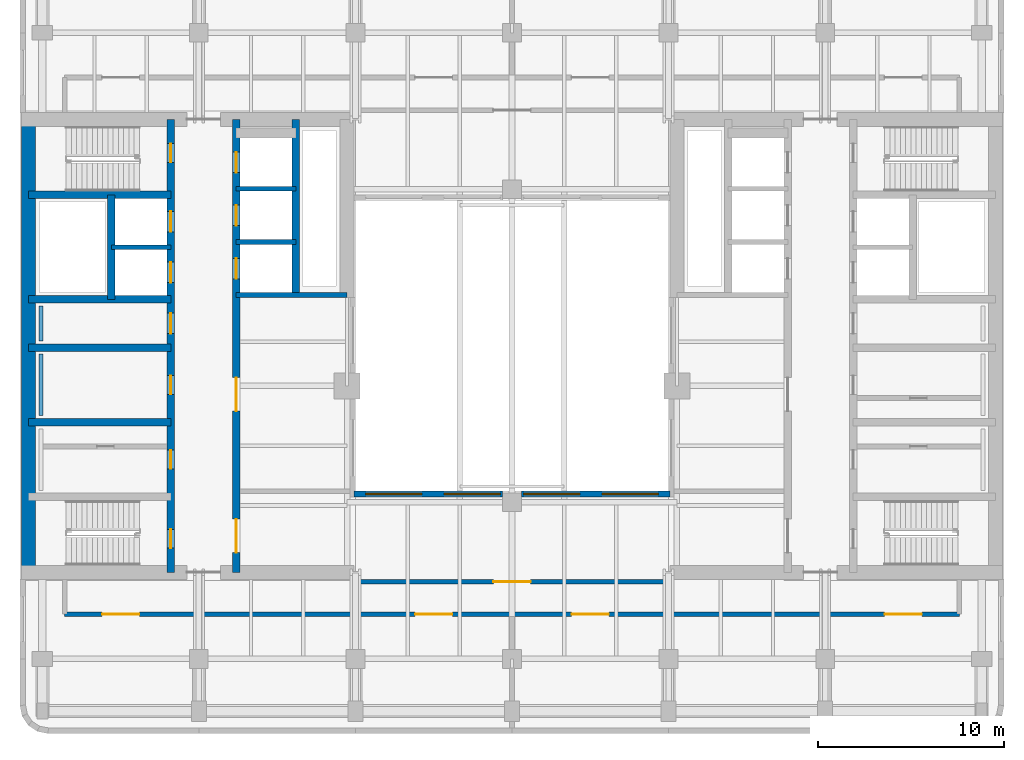
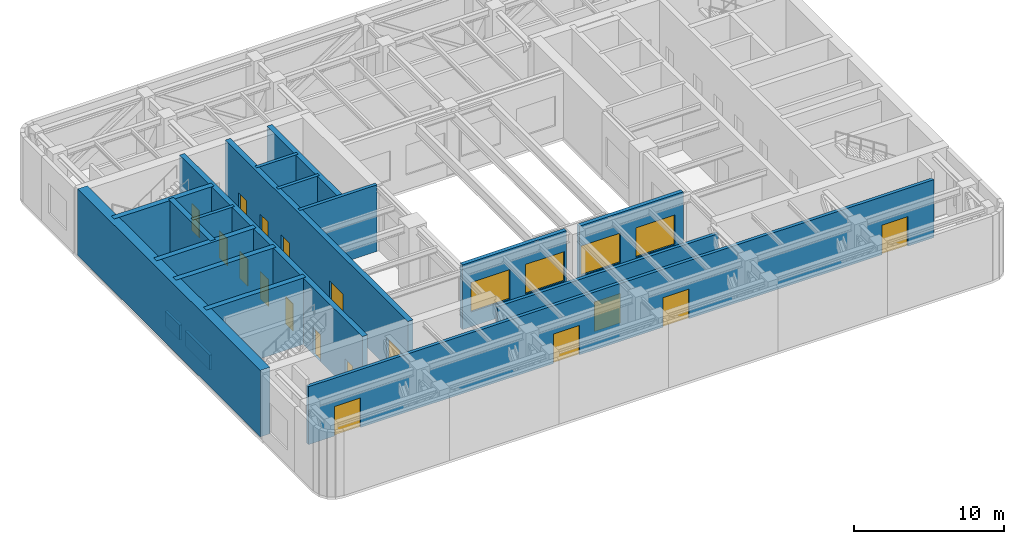
# One storey, part 4 of 10: 19 walls, 17 doors, 4 windows, 21 openings.
"""IFC4 building model written with IfcOpenShell, lengths in metres."""

from ifc_helpers import new_model, si_unit, direction, frame, frame_2d, origin, place, context, subcontext, project, spatial, rectangle, extrude, material, layer, layer_set, type_object, element, fill, save


model = new_model("IFC4")

# Units and contexts
model_context = context("Model", 3, precision=1e-05, world=origin(), true_north=direction((0.0, 1.0)))
body_context = subcontext(model_context, "Body", "Model", "MODEL_VIEW")
ifc_project = project(units=[si_unit("LENGTHUNIT", "METRE"), si_unit("AREAUNIT", "SQUARE_METRE"), si_unit("VOLUMEUNIT", "CUBIC_METRE"), si_unit("PLANEANGLEUNIT", "RADIAN"), si_unit("MASSUNIT", "GRAM", prefix="KILO")], contexts=[model_context])

# Site, building, storey
site_placement = place(None, origin())
site = spatial("IfcSite", under=ifc_project, at=site_placement, CompositionType="ELEMENT")
building_placement = place(site_placement, origin())
building = spatial("IfcBuilding", under=site, at=building_placement, Name="Claustro Exchange Tower", CompositionType="ELEMENT")
storey_placement = place(building_placement, frame((0.0, 0.0, 244.800048828125)))
storey = spatial("IfcBuildingStorey", under=building, at=storey_placement, Name="L56", CompositionType="ELEMENT", Elevation=244.800048828125)

# Wall, openings, doors
ifc_material_1 = material(Name="Concrete blockwork, rendered", Category="masonry")
ifc_layer_1 = layer(ifc_material_1, 0.25)
ifc_layer_set_1 = layer_set([ifc_layer_1], Name="Concrete blockwork, rendered")
wall_type_1 = type_object("IfcWallType", Name="P4 250 blockwork wall", PredefinedType="PARTITIONING", material=ifc_layer_set_1)
wall_1_placement = place(storey_placement, frame((1.199951171875, 10.800048828125, 0.0), z_axis=(0.0, 0.0, 1.0), x_axis=(1.0, 0.0, 0.0)))
wall_1 = element("IfcWall", 1, at=wall_1_placement, inside=storey, type_object=wall_type_1, Name="Partition P4 L56", PredefinedType="PARTITIONING", context=body_context, shape_type="SweptSolid", body=[
    extrude(rectangle(XDim=48.0, YDim=0.25, at=frame_2d((24.0, 0.0))), origin(), (0.0, 0.0, 1.0), 4.699951171875),
])
opening_1_placement = place(wall_1_placement, frame((2.0, 0.0, 0.0)))
opening_1 = element("IfcOpeningElement", 2, at=opening_1_placement, cuts=wall_1, Name="Opening D9", PredefinedType="OPENING", context=body_context, shape_type="SweptSolid", body=[
    extrude(rectangle(XDim=2.0, YDim=2.39990234375, at=frame_2d((1.0, 1.199951171875))), frame((0.0, 0.135009765625, 0.0), z_axis=(0.0, -1.0, 0.0), x_axis=(1.0, 0.0, 0.0)), (0.0, 0.0, 1.0), 0.27001953125),
])
opening_2_placement = place(wall_1_placement, frame((18.800048828125, 0.0, 0.0)))
opening_2 = element("IfcOpeningElement", 3, at=opening_2_placement, cuts=wall_1, Name="Opening D9", PredefinedType="OPENING", context=body_context, shape_type="SweptSolid", body=[
    extrude(rectangle(XDim=2.0, YDim=2.39990234375, at=frame_2d((1.0, 1.199951171875))), frame((0.0, 0.135009765625, 0.0), z_axis=(0.0, -1.0, 0.0), x_axis=(1.0, 0.0, 0.0)), (0.0, 0.0, 1.0), 0.27001953125),
])
opening_3_placement = place(wall_1_placement, frame((27.199951171875, 0.0, 0.0)))
opening_3 = element("IfcOpeningElement", 4, at=opening_3_placement, cuts=wall_1, Name="Opening D9", PredefinedType="OPENING", context=body_context, shape_type="SweptSolid", body=[
    extrude(rectangle(XDim=2.0, YDim=2.39990234375, at=frame_2d((1.0, 1.199951171875))), frame((0.0, 0.135009765625, 0.0), z_axis=(0.0, -1.0, 0.0), x_axis=(1.0, 0.0, 0.0)), (0.0, 0.0, 1.0), 0.27001953125),
])
opening_4_placement = place(wall_1_placement, frame((44.0, 0.0, 0.0)))
opening_4 = element("IfcOpeningElement", 5, at=opening_4_placement, cuts=wall_1, Name="Opening D9", PredefinedType="OPENING", context=body_context, shape_type="SweptSolid", body=[
    extrude(rectangle(XDim=2.0, YDim=2.39990234375, at=frame_2d((1.0, 1.199951171875))), frame((0.0, 0.135009765625, 0.0), z_axis=(0.0, -1.0, 0.0), x_axis=(1.0, 0.0, 0.0)), (0.0, 0.0, 1.0), 0.27001953125),
])
ifc_material_2 = material(Name="Steel fire door, painted", Category="steel")
door_type_1 = type_object("IfcDoorType", Name="D9 2000 x 2400 plant room double door", OperationType="DOUBLE_DOOR_SINGLE_SWING", PredefinedType="DOOR", material=ifc_material_2)
door_1_placement = place(opening_1_placement, frame((2.0, 0.0, 0.0), z_axis=(0.0, 0.0, 1.0), x_axis=(-1.0, 0.0, 0.0)))
door_1 = element("IfcDoor", 6, at=door_1_placement, inside=storey, type_object=door_type_1, Name="Double door D9 L56", OperationType="DOUBLE_DOOR_SINGLE_SWING", OverallHeight=2.39990234375, OverallWidth=2.0, PredefinedType="DOOR", context=body_context, shape_type="SweptSolid", body=[
    extrude(rectangle(XDim=2.0, YDim=2.39990234375, at=frame_2d((1.0, 1.199951171875))), frame((0.0, 0.02490234375, 0.0), z_axis=(0.0, -1.0, 0.0), x_axis=(1.0, 0.0, 0.0)), (0.0, 0.0, 1.0), 0.050048828125),
])
fill(opening_1, door_1)
door_2_placement = place(opening_2_placement, frame((2.0, 0.0, 0.0), z_axis=(0.0, 0.0, 1.0), x_axis=(-1.0, 0.0, 0.0)))
door_2 = element("IfcDoor", 7, at=door_2_placement, inside=storey, type_object=door_type_1, Name="Double door D9 L56", OperationType="DOUBLE_DOOR_SINGLE_SWING", OverallHeight=2.39990234375, OverallWidth=2.0, PredefinedType="DOOR", context=body_context, shape_type="SweptSolid", body=[
    extrude(rectangle(XDim=2.0, YDim=2.39990234375, at=frame_2d((1.0, 1.199951171875))), frame((0.0, 0.02490234375, 0.0), z_axis=(0.0, -1.0, 0.0), x_axis=(1.0, 0.0, 0.0)), (0.0, 0.0, 1.0), 0.050048828125),
])
fill(opening_2, door_2)
door_3_placement = place(opening_3_placement, frame((2.0, 0.0, 0.0), z_axis=(0.0, 0.0, 1.0), x_axis=(-1.0, 0.0, 0.0)))
door_3 = element("IfcDoor", 8, at=door_3_placement, inside=storey, type_object=door_type_1, Name="Double door D9 L56", OperationType="DOUBLE_DOOR_SINGLE_SWING", OverallHeight=2.39990234375, OverallWidth=2.0, PredefinedType="DOOR", context=body_context, shape_type="SweptSolid", body=[
    extrude(rectangle(XDim=2.0, YDim=2.39990234375, at=frame_2d((1.0, 1.199951171875))), frame((0.0, 0.02490234375, 0.0), z_axis=(0.0, -1.0, 0.0), x_axis=(1.0, 0.0, 0.0)), (0.0, 0.0, 1.0), 0.050048828125),
])
fill(opening_3, door_3)
door_4_placement = place(opening_4_placement, frame((2.0, 0.0, 0.0), z_axis=(0.0, 0.0, 1.0), x_axis=(-1.0, 0.0, 0.0)))
door_4 = element("IfcDoor", 9, at=door_4_placement, inside=storey, type_object=door_type_1, Name="Double door D9 L56", OperationType="DOUBLE_DOOR_SINGLE_SWING", OverallHeight=2.39990234375, OverallWidth=2.0, PredefinedType="DOOR", context=body_context, shape_type="SweptSolid", body=[
    extrude(rectangle(XDim=2.0, YDim=2.39990234375, at=frame_2d((1.0, 1.199951171875))), frame((0.0, 0.02490234375, 0.0), z_axis=(0.0, -1.0, 0.0), x_axis=(1.0, 0.0, 0.0)), (0.0, 0.0, 1.0), 0.050048828125),
])
fill(opening_4, door_4)

# Wall, opening, door
wall_2_placement = place(storey_placement, frame((16.72509765625, 12.550048828125, 0.0), z_axis=(0.0, 0.0, 1.0), x_axis=(1.0, 0.0, 0.0)))
wall_2 = element("IfcWall", 10, at=wall_2_placement, inside=storey, type_object=wall_type_1, Name="Partition P4 L56", PredefinedType="PARTITIONING", context=body_context, shape_type="SweptSolid", body=[
    extrude(rectangle(XDim=16.949951171875, YDim=0.25, at=frame_2d((8.47509765625, 0.0))), origin(), (0.0, 0.0, 1.0), 4.699951171875),
])
opening_5_placement = place(wall_2_placement, frame((7.47509765625, 0.0, 0.0)))
opening_5 = element("IfcOpeningElement", 11, at=opening_5_placement, cuts=wall_2, Name="Opening D9", PredefinedType="OPENING", context=body_context, shape_type="SweptSolid", body=[
    extrude(rectangle(XDim=2.0, YDim=2.39990234375, at=frame_2d((1.0, 1.199951171875))), frame((0.0, 0.135009765625, 0.0), z_axis=(0.0, -1.0, 0.0), x_axis=(1.0, 0.0, 0.0)), (0.0, 0.0, 1.0), 0.27001953125),
])
door_5_placement = place(opening_5_placement, origin())
door_5 = element("IfcDoor", 12, at=door_5_placement, inside=storey, type_object=door_type_1, Name="Double door D9 L56", OperationType="DOUBLE_DOOR_SINGLE_SWING", OverallHeight=2.39990234375, OverallWidth=2.0, PredefinedType="DOOR", context=body_context, shape_type="SweptSolid", body=[
    extrude(rectangle(XDim=2.0, YDim=2.39990234375, at=frame_2d((1.0, 1.199951171875))), frame((0.0, 0.02490234375, 0.0), z_axis=(0.0, -1.0, 0.0), x_axis=(1.0, 0.0, 0.0)), (0.0, 0.0, 1.0), 0.050048828125),
])
fill(opening_5, door_5)

# Wall, openings, windows
ifc_material_3 = material(Name="Concrete HA-40 (C40/50), precast, white cement, acid-etched", Category="concrete")
ifc_layer_2 = layer(ifc_material_3, 0.300048828125)
ifc_layer_set_2 = layer_set([ifc_layer_2], Name="Concrete HA-40 (C40/50), precast, white cement, acid-etched")
wall_type_2 = type_object("IfcWallType", Name="PC1 300 precast concrete pier panel", PredefinedType="SOLIDWALL", material=ifc_layer_set_2)
wall_3_placement = place(storey_placement, frame((16.72509765625, 17.25, 0.0), z_axis=(0.0, 0.0, 1.0), x_axis=(1.0, 0.0, 0.0)))
wall_3 = element("IfcWall", 13, at=wall_3_placement, inside=storey, type_object=wall_type_2, Name="Precast pier panel PC1 L56", PredefinedType="SOLIDWALL", context=body_context, shape_type="SweptSolid", body=[
    extrude(rectangle(XDim=7.974853515625, YDim=0.300048828125, at=frame_2d((3.9873046875, 0.0))), origin(), (0.0, 0.0, 1.0), 5.25),
])
opening_6_placement = place(wall_3_placement, frame((0.637451171875, 0.0, 1.199951171875)))
opening_6 = element("IfcOpeningElement", 14, at=opening_6_placement, cuts=wall_3, Name="Opening L1", PredefinedType="OPENING", context=body_context, shape_type="SweptSolid", body=[
    extrude(rectangle(XDim=3.0, YDim=2.39990234375, at=frame_2d((1.5, 1.199951171875))), frame((0.0, 0.159912109375, 0.0), z_axis=(0.0, -1.0, 0.0), x_axis=(1.0, 0.0, 0.0)), (0.0, 0.0, 1.0), 0.320068359375),
])
opening_7_placement = place(wall_3_placement, frame((4.83740234375, 0.0, 1.199951171875)))
opening_7 = element("IfcOpeningElement", 15, at=opening_7_placement, cuts=wall_3, Name="Opening L1", PredefinedType="OPENING", context=body_context, shape_type="SweptSolid", body=[
    extrude(rectangle(XDim=3.0, YDim=2.39990234375, at=frame_2d((1.5, 1.199951171875))), frame((0.0, 0.159912109375, 0.0), z_axis=(0.0, -1.0, 0.0), x_axis=(1.0, 0.0, 0.0)), (0.0, 0.0, 1.0), 0.320068359375),
])
ifc_material_4 = material(Name="Aluminium louvre blades", Category="aluminium")
window_type = type_object("IfcWindowType", Name="L1 3000 x 2400 plant louvre", PartitioningType="SINGLE_PANEL", PredefinedType="USERDEFINED", material=ifc_material_4)
window_1_placement = place(opening_6_placement, origin())
window_1 = element("IfcWindow", 16, at=window_1_placement, inside=storey, type_object=window_type, Name="Plant louvre L1 L56", ObjectType="LOUVRE", OverallHeight=2.39990234375, OverallWidth=3.0, PartitioningType="SINGLE_PANEL", PredefinedType="USERDEFINED", context=body_context, shape_type="SweptSolid", body=[
    extrude(rectangle(XDim=3.0, YDim=2.39990234375, at=frame_2d((1.5, 1.199951171875))), frame((0.0, 0.030029296875, 0.0), z_axis=(0.0, -1.0, 0.0), x_axis=(1.0, 0.0, 0.0)), (0.0, 0.0, 1.0), 0.06005859375),
])
fill(opening_6, window_1)
window_2_placement = place(opening_7_placement, origin())
window_2 = element("IfcWindow", 17, at=window_2_placement, inside=storey, type_object=window_type, Name="Plant louvre L1 L56", ObjectType="LOUVRE", OverallHeight=2.39990234375, OverallWidth=3.0, PartitioningType="SINGLE_PANEL", PredefinedType="USERDEFINED", context=body_context, shape_type="SweptSolid", body=[
    extrude(rectangle(XDim=3.0, YDim=2.39990234375, at=frame_2d((1.5, 1.199951171875))), frame((0.0, 0.030029296875, 0.0), z_axis=(0.0, -1.0, 0.0), x_axis=(1.0, 0.0, 0.0)), (0.0, 0.0, 1.0), 0.06005859375),
])
fill(opening_7, window_2)

wall_4_placement = place(storey_placement, frame((25.699951171875, 17.25, 0.0), z_axis=(0.0, 0.0, 1.0), x_axis=(1.0, 0.0, 0.0)))
wall_4 = element("IfcWall", 18, at=wall_4_placement, inside=storey, type_object=wall_type_2, Name="Precast pier panel PC1 L56", PredefinedType="SOLIDWALL", context=body_context, shape_type="SweptSolid", body=[
    extrude(rectangle(XDim=7.97509765625, YDim=0.300048828125, at=frame_2d((3.987548828125, 0.0))), origin(), (0.0, 0.0, 1.0), 5.25),
])
opening_8_placement = place(wall_4_placement, frame((0.137451171875, 0.0, 1.199951171875)))
opening_8 = element("IfcOpeningElement", 19, at=opening_8_placement, cuts=wall_4, Name="Opening L1", PredefinedType="OPENING", context=body_context, shape_type="SweptSolid", body=[
    extrude(rectangle(XDim=3.0, YDim=2.39990234375, at=frame_2d((1.5, 1.199951171875))), frame((0.0, 0.159912109375, 0.0), z_axis=(0.0, -1.0, 0.0), x_axis=(1.0, 0.0, 0.0)), (0.0, 0.0, 1.0), 0.320068359375),
])
opening_9_placement = place(wall_4_placement, frame((4.33740234375, 0.0, 1.199951171875)))
opening_9 = element("IfcOpeningElement", 20, at=opening_9_placement, cuts=wall_4, Name="Opening L1", PredefinedType="OPENING", context=body_context, shape_type="SweptSolid", body=[
    extrude(rectangle(XDim=3.0, YDim=2.39990234375, at=frame_2d((1.5, 1.199951171875))), frame((0.0, 0.159912109375, 0.0), z_axis=(0.0, -1.0, 0.0), x_axis=(1.0, 0.0, 0.0)), (0.0, 0.0, 1.0), 0.320068359375),
])
window_3_placement = place(opening_8_placement, origin())
window_3 = element("IfcWindow", 21, at=window_3_placement, inside=storey, type_object=window_type, Name="Plant louvre L1 L56", ObjectType="LOUVRE", OverallHeight=2.39990234375, OverallWidth=3.0, PartitioningType="SINGLE_PANEL", PredefinedType="USERDEFINED", context=body_context, shape_type="SweptSolid", body=[
    extrude(rectangle(XDim=3.0, YDim=2.39990234375, at=frame_2d((1.5, 1.199951171875))), frame((0.0, 0.030029296875, 0.0), z_axis=(0.0, -1.0, 0.0), x_axis=(1.0, 0.0, 0.0)), (0.0, 0.0, 1.0), 0.06005859375),
])
fill(opening_8, window_3)
window_4_placement = place(opening_9_placement, origin())
window_4 = element("IfcWindow", 22, at=window_4_placement, inside=storey, type_object=window_type, Name="Plant louvre L1 L56", ObjectType="LOUVRE", OverallHeight=2.39990234375, OverallWidth=3.0, PartitioningType="SINGLE_PANEL", PredefinedType="USERDEFINED", context=body_context, shape_type="SweptSolid", body=[
    extrude(rectangle(XDim=3.0, YDim=2.39990234375, at=frame_2d((1.5, 1.199951171875))), frame((0.0, 0.030029296875, 0.0), z_axis=(0.0, -1.0, 0.0), x_axis=(1.0, 0.0, 0.0)), (0.0, 0.0, 1.0), 0.06005859375),
])
fill(opening_9, window_4)

# Walls
ifc_material_5 = material(Name="Gypsum board on steel studs, tiled", Category="steel")
ifc_layer_3 = layer(ifc_material_5, 0.199951171875)
ifc_layer_set_3 = layer_set([ifc_layer_3], Name="Gypsum board on steel studs, tiled")
wall_type_3 = type_object("IfcWallType", Name="PW1 200 WC duct wall", PredefinedType="PLUMBINGWALL", material=ifc_layer_set_3)
wall_5_placement = place(storey_placement, frame((-0.074951171875, 21.449951171875, 0.0), z_axis=(0.0, 0.0, 1.0), x_axis=(0.0, 1.0, 0.0)))
element("IfcWall", 23, at=wall_5_placement, inside=storey, type_object=wall_type_3, Name="WC duct wall PW1 L56", PredefinedType="PLUMBINGWALL", context=body_context, shape_type="SweptSolid", body=[
    extrude(rectangle(XDim=3.300048828125, YDim=0.199951171875, at=frame_2d((1.64990234375, 0.0))), origin(), (0.0, 0.0, 1.0), 1.199951171875),
])
wall_6_placement = place(storey_placement, frame((-0.074951171875, 25.449951171875, 0.0), z_axis=(0.0, 0.0, 1.0), x_axis=(0.0, 1.0, 0.0)))
element("IfcWall", 24, at=wall_6_placement, inside=storey, type_object=wall_type_3, Name="WC duct wall PW1 L56", PredefinedType="PLUMBINGWALL", context=body_context, shape_type="SweptSolid", body=[
    extrude(rectangle(XDim=1.900146484375, YDim=0.199951171875, at=frame_2d((0.9501953125, 0.0))), origin(), (0.0, 0.0, 1.0), 1.199951171875),
])
ifc_material_6 = material(Name="Concrete HA-70 (C70/85)", Category="concrete")
ifc_layer_4 = layer(ifc_material_6, 0.75)
ifc_layer_set_4 = layer_set([ifc_layer_4], Name="Concrete HA-70 (C70/85)")
wall_type_4 = type_object("IfcWallType", Name="SW2X 750 exposed core shear wall, board-marked face", PredefinedType="SHEAR", material=ifc_layer_set_4)
wall_7_placement = place(storey_placement, frame((-0.75, 13.050048828125, 0.0), z_axis=(0.0, 0.0, 1.0), x_axis=(0.0, 1.0, 0.0)))
element("IfcWall", 25, at=wall_7_placement, inside=storey, type_object=wall_type_4, Name="Core wall SW2X W core W face L56", PredefinedType="SHEAR", context=body_context, shape_type="SweptSolid", body=[
    extrude(rectangle(XDim=24.300048828125, YDim=0.75, at=frame_2d((12.14990234375, 0.0))), origin(), (0.0, 0.0, 1.0), 5.39990234375),
])

# Wall, openings, doors
ifc_material_7 = material(Name="Concrete HA-50 (C50/60)", Category="concrete")
ifc_layer_5 = layer(ifc_material_7, 0.39990234375)
ifc_layer_set_5 = layer_set([ifc_layer_5], Name="Concrete HA-50 (C50/60)")
wall_type_5 = type_object("IfcWallType", Name="SW4 400 internal core wall", PredefinedType="SHEAR", material=ifc_layer_set_5)
wall_8_placement = place(storey_placement, frame((6.89990234375, 13.050048828125, 0.0), z_axis=(0.0, 0.0, 1.0), x_axis=(0.0, 1.0, 0.0)))
wall_8 = element("IfcWall", 26, at=wall_8_placement, inside=storey, type_object=wall_type_5, Name="Internal core wall SW4 W core L56", PredefinedType="SHEAR", context=body_context, shape_type="SweptSolid", body=[
    extrude(rectangle(XDim=24.300048828125, YDim=0.39990234375, at=frame_2d((12.14990234375, 0.0))), origin(), (0.0, 0.0, 1.0), 5.39990234375),
])
opening_10_placement = place(wall_8_placement, frame((1.300048828125, 0.0, 0.0)))
opening_10 = element("IfcOpeningElement", 27, at=opening_10_placement, cuts=wall_8, Name="Opening D4", PredefinedType="OPENING", context=body_context, shape_type="SweptSolid", body=[
    extrude(rectangle(XDim=1.0, YDim=2.199951171875, at=frame_2d((0.5, 1.10009765625))), frame((0.0, 0.2099609375, 0.0), z_axis=(0.0, -1.0, 0.0), x_axis=(1.0, 0.0, 0.0)), (0.0, 0.0, 1.0), 0.419921875),
])
opening_11_placement = place(wall_8_placement, frame((22.0, 0.0, 0.0)))
opening_11 = element("IfcOpeningElement", 28, at=opening_11_placement, cuts=wall_8, Name="Opening D4", PredefinedType="OPENING", context=body_context, shape_type="SweptSolid", body=[
    extrude(rectangle(XDim=1.0, YDim=2.199951171875, at=frame_2d((0.5, 1.10009765625))), frame((0.0, 0.2099609375, 0.0), z_axis=(0.0, -1.0, 0.0), x_axis=(1.0, 0.0, 0.0)), (0.0, 0.0, 1.0), 0.419921875),
])
opening_12_placement = place(wall_8_placement, frame((5.550048828125, 0.0, 0.0)))
opening_12 = element("IfcOpeningElement", 29, at=opening_12_placement, cuts=wall_8, Name="Opening D1", PredefinedType="OPENING", context=body_context, shape_type="SweptSolid", body=[
    extrude(rectangle(XDim=1.0, YDim=2.199951171875, at=frame_2d((0.5, 1.10009765625))), frame((0.0, 0.2099609375, 0.0), z_axis=(0.0, -1.0, 0.0), x_axis=(1.0, 0.0, 0.0)), (0.0, 0.0, 1.0), 0.419921875),
])
opening_13_placement = place(wall_8_placement, frame((9.550048828125, 0.0, 0.0)))
opening_13 = element("IfcOpeningElement", 30, at=opening_13_placement, cuts=wall_8, Name="Opening D1", PredefinedType="OPENING", context=body_context, shape_type="SweptSolid", body=[
    extrude(rectangle(XDim=1.0, YDim=2.199951171875, at=frame_2d((0.5, 1.10009765625))), frame((0.0, 0.2099609375, 0.0), z_axis=(0.0, -1.0, 0.0), x_axis=(1.0, 0.0, 0.0)), (0.0, 0.0, 1.0), 0.419921875),
])
opening_14_placement = place(wall_8_placement, frame((12.800048828125, 0.0, 0.0)))
opening_14 = element("IfcOpeningElement", 31, at=opening_14_placement, cuts=wall_8, Name="Opening D10", PredefinedType="OPENING", context=body_context, shape_type="SweptSolid", body=[
    extrude(rectangle(XDim=1.10009765625, YDim=2.199951171875, at=frame_2d((0.550048828125, 1.10009765625))), frame((0.0, 0.2099609375, 0.0), z_axis=(0.0, -1.0, 0.0), x_axis=(1.0, 0.0, 0.0)), (0.0, 0.0, 1.0), 0.419921875),
])
opening_15_placement = place(wall_8_placement, frame((15.53759765625, 0.0, 0.0)))
opening_15 = element("IfcOpeningElement", 32, at=opening_15_placement, cuts=wall_8, Name="Opening LD", PredefinedType="OPENING", context=body_context, shape_type="SweptSolid", body=[
    extrude(rectangle(XDim=1.10009765625, YDim=2.199951171875, at=frame_2d((0.550048828125, 1.10009765625))), frame((0.0, 0.2099609375, 0.0), z_axis=(0.0, -1.0, 0.0), x_axis=(1.0, 0.0, 0.0)), (0.0, 0.0, 1.0), 0.419921875),
])
opening_16_placement = place(wall_8_placement, frame((18.262451171875, 0.0, 0.0)))
opening_16 = element("IfcOpeningElement", 33, at=opening_16_placement, cuts=wall_8, Name="Opening LD", PredefinedType="OPENING", context=body_context, shape_type="SweptSolid", body=[
    extrude(rectangle(XDim=1.10009765625, YDim=2.199951171875, at=frame_2d((0.550048828125, 1.10009765625))), frame((0.0, 0.2099609375, 0.0), z_axis=(0.0, -1.0, 0.0), x_axis=(1.0, 0.0, 0.0)), (0.0, 0.0, 1.0), 0.419921875),
])
ifc_material_8 = material(Name="Timber door, oak veneer", Category="wood")
door_type_2 = type_object("IfcDoorType", Name="D1 1000 x 2200 single door", OperationType="SINGLE_SWING_LEFT", PredefinedType="DOOR", material=ifc_material_8)
door_6_placement = place(opening_12_placement, origin())
door_6 = element("IfcDoor", 34, at=door_6_placement, inside=storey, type_object=door_type_2, Name="Door D1 L56", OperationType="SINGLE_SWING_RIGHT", OverallHeight=2.199951171875, OverallWidth=1.0, PredefinedType="DOOR", context=body_context, shape_type="SweptSolid", body=[
    extrude(rectangle(XDim=1.0, YDim=2.199951171875, at=frame_2d((0.5, 1.10009765625))), frame((0.0, 0.02490234375, 0.0), z_axis=(0.0, -1.0, 0.0), x_axis=(1.0, 0.0, 0.0)), (0.0, 0.0, 1.0), 0.050048828125),
])
fill(opening_12, door_6)
door_7_placement = place(opening_13_placement, origin())
door_7 = element("IfcDoor", 35, at=door_7_placement, inside=storey, type_object=door_type_2, Name="Door D1 L56", OperationType="SINGLE_SWING_RIGHT", OverallHeight=2.199951171875, OverallWidth=1.0, PredefinedType="DOOR", context=body_context, shape_type="SweptSolid", body=[
    extrude(rectangle(XDim=1.0, YDim=2.199951171875, at=frame_2d((0.5, 1.10009765625))), frame((0.0, 0.02490234375, 0.0), z_axis=(0.0, -1.0, 0.0), x_axis=(1.0, 0.0, 0.0)), (0.0, 0.0, 1.0), 0.050048828125),
])
fill(opening_13, door_7)
ifc_material_9 = material(Name="Timber door, oak veneer", Category="wood")
door_type_3 = type_object("IfcDoorType", Name="D10 1100 x 2200 accessible WC door", OperationType="SINGLE_SWING_LEFT", PredefinedType="DOOR", material=ifc_material_9)
door_8_placement = place(opening_14_placement, frame((1.10009765625, 0.0, 0.0), z_axis=(0.0, 0.0, 1.0), x_axis=(-1.0, 0.0, 0.0)))
door_8 = element("IfcDoor", 36, at=door_8_placement, inside=storey, type_object=door_type_3, Name="Accessible WC door D10 L56", OperationType="SINGLE_SWING_LEFT", OverallHeight=2.199951171875, OverallWidth=1.10009765625, PredefinedType="DOOR", context=body_context, shape_type="SweptSolid", body=[
    extrude(rectangle(XDim=1.10009765625, YDim=2.199951171875, at=frame_2d((0.550048828125, 1.10009765625))), frame((0.0, 0.02490234375, 0.0), z_axis=(0.0, -1.0, 0.0), x_axis=(1.0, 0.0, 0.0)), (0.0, 0.0, 1.0), 0.050048828125),
])
fill(opening_14, door_8)
ifc_material_10 = material(Name="Steel fire door, painted", Category="steel")
door_type_4 = type_object("IfcDoorType", Name="D4 1000 x 2200 fire-rated stair door", OperationType="SINGLE_SWING_LEFT", PredefinedType="DOOR", material=ifc_material_10)
door_9_placement = place(opening_10_placement, origin())
door_9 = element("IfcDoor", 37, at=door_9_placement, inside=storey, type_object=door_type_4, Name="Stair door D4 L56", OperationType="SINGLE_SWING_LEFT", OverallHeight=2.199951171875, OverallWidth=1.0, PredefinedType="DOOR", context=body_context, shape_type="SweptSolid", body=[
    extrude(rectangle(XDim=1.0, YDim=2.199951171875, at=frame_2d((0.5, 1.10009765625))), frame((0.0, 0.02490234375, 0.0), z_axis=(0.0, -1.0, 0.0), x_axis=(1.0, 0.0, 0.0)), (0.0, 0.0, 1.0), 0.050048828125),
])
fill(opening_10, door_9)
door_10_placement = place(opening_11_placement, origin())
door_10 = element("IfcDoor", 38, at=door_10_placement, inside=storey, type_object=door_type_4, Name="Stair door D4 L56", OperationType="SINGLE_SWING_RIGHT", OverallHeight=2.199951171875, OverallWidth=1.0, PredefinedType="DOOR", context=body_context, shape_type="SweptSolid", body=[
    extrude(rectangle(XDim=1.0, YDim=2.199951171875, at=frame_2d((0.5, 1.10009765625))), frame((0.0, 0.02490234375, 0.0), z_axis=(0.0, -1.0, 0.0), x_axis=(1.0, 0.0, 0.0)), (0.0, 0.0, 1.0), 0.050048828125),
])
fill(opening_11, door_10)
ifc_material_11 = material(Name="Stainless steel sliding door", Category="steel")
door_type_5 = type_object("IfcDoorType", Name="LD 1100 x 2200 lift landing door", OperationType="DOUBLE_DOOR_SLIDING", PredefinedType="DOOR", material=ifc_material_11)
door_11_placement = place(opening_15_placement, origin())
door_11 = element("IfcDoor", 39, at=door_11_placement, inside=storey, type_object=door_type_5, Name="Lift landing door LEW1 LD L56", OperationType="DOUBLE_DOOR_SLIDING", OverallHeight=2.199951171875, OverallWidth=1.10009765625, PredefinedType="DOOR", context=body_context, shape_type="SweptSolid", body=[
    extrude(rectangle(XDim=1.10009765625, YDim=2.199951171875, at=frame_2d((0.550048828125, 1.10009765625))), frame((0.0, 0.02490234375, 0.0), z_axis=(0.0, -1.0, 0.0), x_axis=(1.0, 0.0, 0.0)), (0.0, 0.0, 1.0), 0.050048828125),
])
fill(opening_15, door_11)
door_12_placement = place(opening_16_placement, origin())
door_12 = element("IfcDoor", 40, at=door_12_placement, inside=storey, type_object=door_type_5, Name="Lift landing door LEW2 LD L56", OperationType="DOUBLE_DOOR_SLIDING", OverallHeight=2.199951171875, OverallWidth=1.10009765625, PredefinedType="DOOR", context=body_context, shape_type="SweptSolid", body=[
    extrude(rectangle(XDim=1.10009765625, YDim=2.199951171875, at=frame_2d((0.550048828125, 1.10009765625))), frame((0.0, 0.02490234375, 0.0), z_axis=(0.0, -1.0, 0.0), x_axis=(1.0, 0.0, 0.0)), (0.0, 0.0, 1.0), 0.050048828125),
])
fill(opening_16, door_12)

wall_9_placement = place(storey_placement, frame((10.39990234375, 13.050048828125, 0.0), z_axis=(0.0, 0.0, 1.0), x_axis=(0.0, 1.0, 0.0)))
wall_9 = element("IfcWall", 41, at=wall_9_placement, inside=storey, type_object=wall_type_5, Name="Internal core wall SW4 W core L56", PredefinedType="SHEAR", context=body_context, shape_type="SweptSolid", body=[
    extrude(rectangle(XDim=24.300048828125, YDim=0.39990234375, at=frame_2d((12.14990234375, 0.0))), origin(), (0.0, 0.0, 1.0), 5.39990234375),
])
opening_17_placement = place(wall_9_placement, frame((15.75, 0.0, 0.0)))
opening_17 = element("IfcOpeningElement", 42, at=opening_17_placement, cuts=wall_9, Name="Opening LD", PredefinedType="OPENING", context=body_context, shape_type="SweptSolid", body=[
    extrude(rectangle(XDim=1.10009765625, YDim=2.199951171875, at=frame_2d((0.550048828125, 1.10009765625))), frame((0.0, 0.2099609375, 0.0), z_axis=(0.0, -1.0, 0.0), x_axis=(1.0, 0.0, 0.0)), (0.0, 0.0, 1.0), 0.419921875),
])
opening_18_placement = place(wall_9_placement, frame((18.60009765625, 0.0, 0.0)))
opening_18 = element("IfcOpeningElement", 43, at=opening_18_placement, cuts=wall_9, Name="Opening LD", PredefinedType="OPENING", context=body_context, shape_type="SweptSolid", body=[
    extrude(rectangle(XDim=1.10009765625, YDim=2.199951171875, at=frame_2d((0.550048828125, 1.10009765625))), frame((0.0, 0.2099609375, 0.0), z_axis=(0.0, -1.0, 0.0), x_axis=(1.0, 0.0, 0.0)), (0.0, 0.0, 1.0), 0.419921875),
])
opening_19_placement = place(wall_9_placement, frame((21.449951171875, 0.0, 0.0)))
opening_19 = element("IfcOpeningElement", 44, at=opening_19_placement, cuts=wall_9, Name="Opening LD", PredefinedType="OPENING", context=body_context, shape_type="SweptSolid", body=[
    extrude(rectangle(XDim=1.10009765625, YDim=2.199951171875, at=frame_2d((0.550048828125, 1.10009765625))), frame((0.0, 0.2099609375, 0.0), z_axis=(0.0, -1.0, 0.0), x_axis=(1.0, 0.0, 0.0)), (0.0, 0.0, 1.0), 0.419921875),
])
opening_20_placement = place(wall_9_placement, frame((8.64990234375, 0.0, 0.0)))
opening_20 = element("IfcOpeningElement", 45, at=opening_20_placement, cuts=wall_9, Name="Opening D3", PredefinedType="OPENING", context=body_context, shape_type="SweptSolid", body=[
    extrude(rectangle(XDim=1.800048828125, YDim=2.39990234375, at=frame_2d((0.89990234375, 1.199951171875))), frame((0.0, 0.2099609375, 0.0), z_axis=(0.0, -1.0, 0.0), x_axis=(1.0, 0.0, 0.0)), (0.0, 0.0, 1.0), 0.419921875),
])
opening_21_placement = place(wall_9_placement, frame((1.050048828125, 0.0, 0.0)))
opening_21 = element("IfcOpeningElement", 46, at=opening_21_placement, cuts=wall_9, Name="Opening D3", PredefinedType="OPENING", context=body_context, shape_type="SweptSolid", body=[
    extrude(rectangle(XDim=1.800048828125, YDim=2.39990234375, at=frame_2d((0.89990234375, 1.199951171875))), frame((0.0, 0.2099609375, 0.0), z_axis=(0.0, -1.0, 0.0), x_axis=(1.0, 0.0, 0.0)), (0.0, 0.0, 1.0), 0.419921875),
])
ifc_material_12 = material(Name="Steel fire door, painted", Category="steel")
door_type_6 = type_object("IfcDoorType", Name="D3 1800 x 2400 fire-rated lobby double door", OperationType="DOUBLE_DOOR_SINGLE_SWING", PredefinedType="DOOR", material=ifc_material_12)
door_13_placement = place(opening_20_placement, frame((1.800048828125, 0.0, 0.0), z_axis=(0.0, 0.0, 1.0), x_axis=(-1.0, 0.0, 0.0)))
door_13 = element("IfcDoor", 47, at=door_13_placement, inside=storey, type_object=door_type_6, Name="Core zone door D3 L56", OperationType="DOUBLE_DOOR_SINGLE_SWING", OverallHeight=2.39990234375, OverallWidth=1.800048828125, PredefinedType="DOOR", context=body_context, shape_type="SweptSolid", body=[
    extrude(rectangle(XDim=1.800048828125, YDim=2.39990234375, at=frame_2d((0.89990234375, 1.199951171875))), frame((0.0, 0.02490234375, 0.0), z_axis=(0.0, -1.0, 0.0), x_axis=(1.0, 0.0, 0.0)), (0.0, 0.0, 1.0), 0.050048828125),
])
fill(opening_20, door_13)
door_14_placement = place(opening_21_placement, frame((1.800048828125, 0.0, 0.0), z_axis=(0.0, 0.0, 1.0), x_axis=(-1.0, 0.0, 0.0)))
door_14 = element("IfcDoor", 48, at=door_14_placement, inside=storey, type_object=door_type_6, Name="Core zone door D3 L56", OperationType="DOUBLE_DOOR_SINGLE_SWING", OverallHeight=2.39990234375, OverallWidth=1.800048828125, PredefinedType="DOOR", context=body_context, shape_type="SweptSolid", body=[
    extrude(rectangle(XDim=1.800048828125, YDim=2.39990234375, at=frame_2d((0.89990234375, 1.199951171875))), frame((0.0, 0.02490234375, 0.0), z_axis=(0.0, -1.0, 0.0), x_axis=(1.0, 0.0, 0.0)), (0.0, 0.0, 1.0), 0.050048828125),
])
fill(opening_21, door_14)
door_15_placement = place(opening_17_placement, origin())
door_15 = element("IfcDoor", 49, at=door_15_placement, inside=storey, type_object=door_type_5, Name="Lift landing door LHW1 LD L56", OperationType="DOUBLE_DOOR_SLIDING", OverallHeight=2.199951171875, OverallWidth=1.10009765625, PredefinedType="DOOR", context=body_context, shape_type="SweptSolid", body=[
    extrude(rectangle(XDim=1.10009765625, YDim=2.199951171875, at=frame_2d((0.550048828125, 1.10009765625))), frame((0.0, 0.02490234375, 0.0), z_axis=(0.0, -1.0, 0.0), x_axis=(1.0, 0.0, 0.0)), (0.0, 0.0, 1.0), 0.050048828125),
])
fill(opening_17, door_15)
door_16_placement = place(opening_18_placement, origin())
door_16 = element("IfcDoor", 50, at=door_16_placement, inside=storey, type_object=door_type_5, Name="Lift landing door LHW2 LD L56", OperationType="DOUBLE_DOOR_SLIDING", OverallHeight=2.199951171875, OverallWidth=1.10009765625, PredefinedType="DOOR", context=body_context, shape_type="SweptSolid", body=[
    extrude(rectangle(XDim=1.10009765625, YDim=2.199951171875, at=frame_2d((0.550048828125, 1.10009765625))), frame((0.0, 0.02490234375, 0.0), z_axis=(0.0, -1.0, 0.0), x_axis=(1.0, 0.0, 0.0)), (0.0, 0.0, 1.0), 0.050048828125),
])
fill(opening_18, door_16)
door_17_placement = place(opening_19_placement, origin())
door_17 = element("IfcDoor", 51, at=door_17_placement, inside=storey, type_object=door_type_5, Name="Lift landing door LSW1 LD L56", OperationType="DOUBLE_DOOR_SLIDING", OverallHeight=2.199951171875, OverallWidth=1.10009765625, PredefinedType="DOOR", context=body_context, shape_type="SweptSolid", body=[
    extrude(rectangle(XDim=1.10009765625, YDim=2.199951171875, at=frame_2d((0.550048828125, 1.10009765625))), frame((0.0, 0.02490234375, 0.0), z_axis=(0.0, -1.0, 0.0), x_axis=(1.0, 0.0, 0.0)), (0.0, 0.0, 1.0), 0.050048828125),
])
fill(opening_19, door_17)

# Walls
wall_10_placement = place(storey_placement, frame((13.60009765625, 27.925048828125, 0.0), z_axis=(0.0, 0.0, 1.0), x_axis=(0.0, 1.0, 0.0)))
element("IfcWall", 52, at=wall_10_placement, inside=storey, type_object=wall_type_5, Name="Internal core wall SW4 W core L56", PredefinedType="SHEAR", context=body_context, shape_type="SweptSolid", body=[
    extrude(rectangle(XDim=9.425048828125, YDim=0.39990234375, at=frame_2d((4.71240234375, 0.0))), origin(), (0.0, 0.0, 1.0), 5.39990234375),
])
for number, where, z_axis, x_axis, name in (
    (53, (-0.75, 21.10009765625, 0.0), (0.0, 0.0, 1.0), (1.0, 0.0, 0.0), "Internal core wall SW4 W core L56"),
    (54, (-0.75, 25.10009765625, 0.0), (0.0, 0.0, 1.0), (1.0, 0.0, 0.0), "Internal core wall SW4 W core L56"),
    (55, (-0.75, 27.699951171875, 0.0), (0.0, 0.0, 1.0), (1.0, 0.0, 0.0), "Internal core wall SW4 W core L56"),
    (56, (-0.75, 33.300048828125, 0.0), (0.0, 0.0, 1.0), (1.0, 0.0, 0.0), "Internal core wall SW4 W core L56"),
):
    element("IfcWall", number, at=place(storey_placement, frame(where, z_axis=z_axis, x_axis=x_axis)), inside=storey, type_object=wall_type_5, Name=name, PredefinedType="SHEAR", context=body_context, shape_type="SweptSolid", body=[
        extrude(rectangle(XDim=7.64990234375, YDim=0.39990234375, at=frame_2d((3.824951171875, 0.0))), origin(), (0.0, 0.0, 1.0), 5.39990234375),
    ])
wall_11_placement = place(storey_placement, frame((3.699951171875, 27.699951171875, 0.0), z_axis=(0.0, 0.0, 1.0), x_axis=(0.0, 1.0, 0.0)))
element("IfcWall", 57, at=wall_11_placement, inside=storey, type_object=wall_type_5, Name="Internal core wall SW4 W core L56", PredefinedType="SHEAR", context=body_context, shape_type="SweptSolid", body=[
    extrude(rectangle(XDim=5.60009765625, YDim=0.39990234375, at=frame_2d((2.800048828125, 0.0))), origin(), (0.0, 0.0, 1.0), 5.39990234375),
])
ifc_material_13 = material(Name="Concrete HA-50 (C50/60)", Category="concrete")
ifc_layer_6 = layer(ifc_material_13, 0.25)
ifc_layer_set_6 = layer_set([ifc_layer_6], Name="Concrete HA-50 (C50/60)")
wall_type_6 = type_object("IfcWallType", Name="SW5 250 lift shaft divider wall", PredefinedType="SHEAR", material=ifc_layer_set_6)
wall_12_placement = place(storey_placement, frame((3.699951171875, 30.5, 0.0), z_axis=(0.0, 0.0, 1.0), x_axis=(1.0, 0.0, 0.0)))
element("IfcWall", 58, at=wall_12_placement, inside=storey, type_object=wall_type_6, Name="Lift shaft wall W core L56", PredefinedType="SHEAR", context=body_context, shape_type="SweptSolid", body=[
    extrude(rectangle(XDim=3.199951171875, YDim=0.25, at=frame_2d((1.60009765625, 0.0))), origin(), (0.0, 0.0, 1.0), 5.39990234375),
])
wall_13_placement = place(storey_placement, frame((10.39990234375, 27.925048828125, 0.0), z_axis=(0.0, 0.0, 1.0), x_axis=(1.0, 0.0, 0.0)))
element("IfcWall", 59, at=wall_13_placement, inside=storey, type_object=wall_type_6, Name="Core step wall W core L56", PredefinedType="SHEAR", context=body_context, shape_type="SweptSolid", body=[
    extrude(rectangle(XDim=5.9501953125, YDim=0.25, at=frame_2d((2.97509765625, 0.0))), origin(), (0.0, 0.0, 1.0), 5.39990234375),
])
for number, where, z_axis, x_axis, name in (
    (60, (10.39990234375, 30.77490234375, 0.0), (0.0, 0.0, 1.0), (1.0, 0.0, 0.0), "Lift shaft wall W core L56"),
    (61, (10.39990234375, 33.625, 0.0), (0.0, 0.0, 1.0), (1.0, 0.0, 0.0), "Lift shaft wall W core L56"),
):
    element("IfcWall", number, at=place(storey_placement, frame(where, z_axis=z_axis, x_axis=x_axis)), inside=storey, type_object=wall_type_6, Name=name, PredefinedType="SHEAR", context=body_context, shape_type="SweptSolid", body=[
        extrude(rectangle(XDim=3.2001953125, YDim=0.25, at=frame_2d((1.60009765625, 0.0))), origin(), (0.0, 0.0, 1.0), 5.39990234375),
    ])

save(model, "model.ifc")
